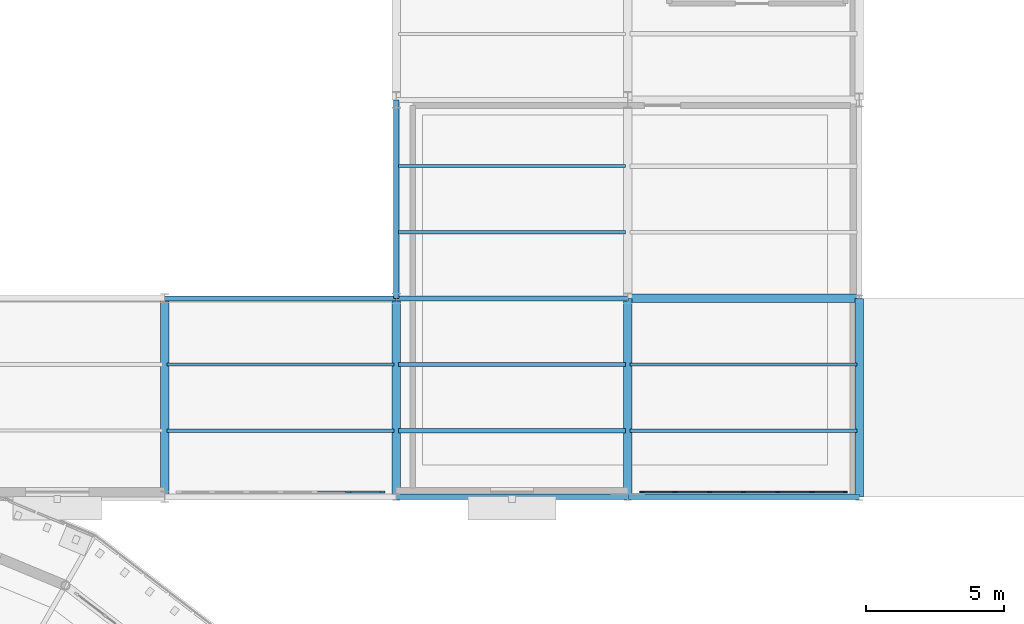
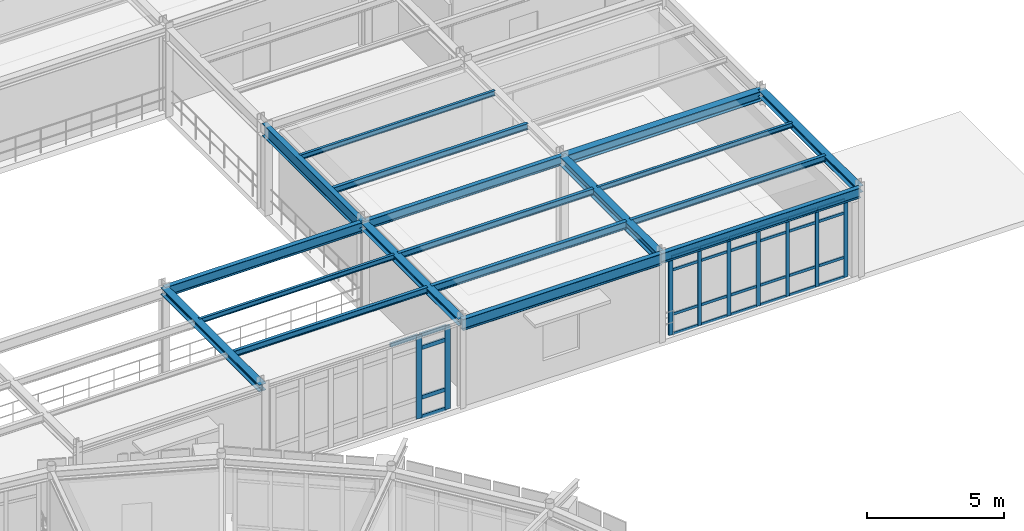
# One storey, part 54 of 90: 38 members, 18 beams, 2 elements without a shape of their own.
"""IFC4 building model written with IfcOpenShell, lengths in metres."""

from ifc_helpers import new_model, si_unit, derived_unit, direction, frame, origin, origin_2d, place, context, subcontext, project, spatial, rectangle, i_section, extrude, material, layer, layer_set, material_profile, profile_set, type_object, element, aggregate, save


model = new_model("IFC4")

# Units and contexts
model_context = context("Model", 3, precision=1e-05, world=origin(), true_north=direction((0.0, 1.0)))
body_context = subcontext(model_context, "Body", "Model", "MODEL_VIEW")
ifc_project = project(units=[si_unit("LENGTHUNIT", "METRE"), si_unit("AREAUNIT", "SQUARE_METRE"), si_unit("VOLUMEUNIT", "CUBIC_METRE"), si_unit("PLANEANGLEUNIT", "RADIAN"), si_unit("MASSUNIT", "GRAM", prefix="KILO"), derived_unit("THERMALTRANSMITTANCEUNIT", [(si_unit("POWERUNIT", "WATT"), 1), (si_unit("AREAUNIT", "SQUARE_METRE"), -1), (si_unit("THERMODYNAMICTEMPERATUREUNIT", "KELVIN"), -1)])], contexts=[model_context])

# Site, building, storey
site_placement = place(None, origin())
site = spatial("IfcSite", under=ifc_project, at=site_placement, CompositionType="ELEMENT")
building_placement = place(site_placement, origin())
building = spatial("IfcBuilding", under=site, at=building_placement, Name="Yasenodar Specialist Clinic", CompositionType="ELEMENT")
storey_placement = place(building_placement, frame((0.0, 0.0, 9.0)))
storey = spatial("IfcBuildingStorey", under=building, at=storey_placement, Name="L02", CompositionType="ELEMENT", Elevation=9.0)

# Beams
ifc_material_1 = material(Name="Steel S355", Category="steel")
ifc_material_profile_1 = material_profile(ifc_material_1, i_section(OverallWidth=0.300048828125, OverallDepth=0.2900390625, WebThickness=0.008544921875, FlangeThickness=0.013916015625, FilletRadius=0.027099609375, at=origin_2d()), Name="HEA 300")
ifc_profile_set_1 = profile_set([ifc_material_profile_1], Name="Steel S355")
beam_type_1 = type_object("IfcBeamType", Name="BM-HEA300", PredefinedType="BEAM", material=ifc_profile_set_1)
for number, where, z_axis, x_axis, name in (
    (1, (105.0, 82.800048828125, 3.804931640625), (0.0, 1.0, 0.0), (-1.0, 0.0, 0.0), "L02 Primary N-S Girder"),
    (2, (121.800048828125, 82.800048828125, 3.804931640625), (0.0, 1.0, 0.0), (-1.0, 0.0, 0.0), "L02 Primary N-S Girder"),
):
    element("IfcBeam", number, at=place(storey_placement, frame(where, z_axis=z_axis, x_axis=x_axis)), inside=storey, type_object=beam_type_1, Name=name, PredefinedType="BEAM", context=body_context, shape_type="SweptSolid", body=[
        extrude(i_section(OverallWidth=0.300048828125, OverallDepth=0.2900390625, WebThickness=0.008544921875, FlangeThickness=0.013916015625, FilletRadius=0.027099609375, at=origin_2d()), origin(), (0.0, 0.0, 1.0), 7.199951171875),
    ])
ifc_material_profile_2 = material_profile(ifc_material_1, i_section(OverallWidth=0.300048828125, OverallDepth=0.43994140625, WebThickness=0.011474609375, FlangeThickness=0.02099609375, FilletRadius=0.027099609375, at=origin_2d()), Name="HEA 450")
ifc_profile_set_2 = profile_set([ifc_material_profile_2], Name="Steel S355")
beam_type_2 = type_object("IfcBeamType", Name="BM-HEA450", PredefinedType="BEAM", material=ifc_profile_set_2)
beam_1_placement = place(storey_placement, frame((113.39990234375, 90.0, 3.72998046875), z_axis=(1.0, 0.0, 0.0), x_axis=(0.0, 1.0, 0.0)))
element("IfcBeam", 3, at=beam_1_placement, inside=storey, type_object=beam_type_2, Name="L02 Primary E-W Girder", PredefinedType="BEAM", context=body_context, shape_type="SweptSolid", body=[
    extrude(i_section(OverallWidth=0.300048828125, OverallDepth=0.43994140625, WebThickness=0.011474609375, FlangeThickness=0.02099609375, FilletRadius=0.027099609375, at=origin_2d()), origin(), (0.0, 0.0, 1.0), 8.400146484375),
])
ifc_material_profile_3 = material_profile(ifc_material_1, i_section(OverallWidth=0.300048828125, OverallDepth=0.300048828125, WebThickness=0.010986328125, FlangeThickness=0.01904296875, FilletRadius=0.027099609375, at=origin_2d()), Name="HEB 300")
ifc_profile_set_3 = profile_set([ifc_material_profile_3], Name="Steel S355")
beam_type_3 = type_object("IfcBeamType", Name="BM-HEB300", PredefinedType="BEAM", material=ifc_profile_set_3)
beam_2_placement = place(storey_placement, frame((96.60009765625, 82.800048828125, 3.800048828125), z_axis=(0.0, 1.0, 0.0), x_axis=(-1.0, 0.0, 0.0)))
element("IfcBeam", 4, at=beam_2_placement, inside=storey, type_object=beam_type_3, Name="L02 Primary N-S Girder", PredefinedType="BEAM", context=body_context, shape_type="SweptSolid", body=[
    extrude(i_section(OverallWidth=0.300048828125, OverallDepth=0.300048828125, WebThickness=0.010986328125, FlangeThickness=0.01904296875, FilletRadius=0.027099609375, at=origin_2d()), origin(), (0.0, 0.0, 1.0), 7.199951171875),
])
ifc_material_profile_4 = material_profile(ifc_material_1, i_section(OverallWidth=0.300048828125, OverallDepth=0.39990234375, WebThickness=0.013427734375, FlangeThickness=0.02392578125, FilletRadius=0.027099609375, at=origin_2d()), Name="HEB 400")
ifc_profile_set_4 = profile_set([ifc_material_profile_4], Name="Steel S355")
beam_type_4 = type_object("IfcBeamType", Name="BM-HEB400", PredefinedType="BEAM", material=ifc_profile_set_4)
beam_3_placement = place(storey_placement, frame((113.39990234375, 82.800048828125, 3.75), z_axis=(0.0, 1.0, 0.0), x_axis=(-1.0, 0.0, 0.0)))
element("IfcBeam", 5, at=beam_3_placement, inside=storey, type_object=beam_type_4, Name="L02 Primary N-S Girder", PredefinedType="BEAM", context=body_context, shape_type="SweptSolid", body=[
    extrude(i_section(OverallWidth=0.300048828125, OverallDepth=0.39990234375, WebThickness=0.013427734375, FlangeThickness=0.02392578125, FilletRadius=0.027099609375, at=origin_2d()), origin(), (0.0, 0.0, 1.0), 7.199951171875),
])
ifc_material_profile_5 = material_profile(ifc_material_1, i_section(OverallWidth=0.179931640625, OverallDepth=0.39990234375, WebThickness=0.008544921875, FlangeThickness=0.013427734375, FilletRadius=0.02099609375, at=origin_2d()), Name="IPE 400")
ifc_profile_set_5 = profile_set([ifc_material_profile_5], Name="Steel S355")
beam_type_5 = type_object("IfcBeamType", Name="BM-IPE400", PredefinedType="BEAM", material=ifc_profile_set_5)
beam_4_placement = place(storey_placement, frame((105.0, 90.0, 3.75), z_axis=(1.0, 0.0, 0.0), x_axis=(0.0, 1.0, 0.0)))
element("IfcBeam", 6, at=beam_4_placement, inside=storey, type_object=beam_type_5, Name="L02 Primary E-W Girder", PredefinedType="BEAM", context=body_context, shape_type="SweptSolid", body=[
    extrude(i_section(OverallWidth=0.179931640625, OverallDepth=0.39990234375, WebThickness=0.008544921875, FlangeThickness=0.013427734375, FilletRadius=0.02099609375, at=origin_2d()), origin(), (0.0, 0.0, 1.0), 8.39990234375),
])
ifc_material_profile_6 = material_profile(ifc_material_1, i_section(OverallWidth=0.18994140625, OverallDepth=0.449951171875, WebThickness=0.009521484375, FlangeThickness=0.0146484375, FilletRadius=0.02099609375, at=origin_2d()), Name="IPE 450")
ifc_profile_set_6 = profile_set([ifc_material_profile_6], Name="Steel S355")
beam_type_6 = type_object("IfcBeamType", Name="BM-IPE450", PredefinedType="BEAM", material=ifc_profile_set_6)
beam_5_placement = place(storey_placement, frame((113.39990234375, 82.800048828125, 3.72509765625), z_axis=(1.0, 0.0, 0.0), x_axis=(0.0, 1.0, 0.0)))
element("IfcBeam", 7, at=beam_5_placement, inside=storey, type_object=beam_type_6, Name="L02 Primary E-W Girder", PredefinedType="BEAM", context=body_context, shape_type="SweptSolid", body=[
    extrude(i_section(OverallWidth=0.18994140625, OverallDepth=0.449951171875, WebThickness=0.009521484375, FlangeThickness=0.0146484375, FilletRadius=0.02099609375, at=origin_2d()), origin(), (0.0, 0.0, 1.0), 8.400146484375),
])
beam_6_placement = place(storey_placement, frame((96.60009765625, 90.0, 3.72509765625), z_axis=(1.0, 0.0, 0.0), x_axis=(0.0, 1.0, 0.0)))
element("IfcBeam", 8, at=beam_6_placement, inside=storey, type_object=beam_type_6, Name="L02 Primary E-W Girder", PredefinedType="BEAM", context=body_context, shape_type="SweptSolid", body=[
    extrude(i_section(OverallWidth=0.18994140625, OverallDepth=0.449951171875, WebThickness=0.009521484375, FlangeThickness=0.0146484375, FilletRadius=0.02099609375, at=origin_2d()), origin(), (0.0, 0.0, 1.0), 8.39990234375),
])
ifc_material_profile_7 = material_profile(ifc_material_1, i_section(OverallWidth=0.199951171875, OverallDepth=0.5, WebThickness=0.01025390625, FlangeThickness=0.01611328125, FilletRadius=0.02099609375, at=origin_2d()), Name="IPE 500")
ifc_profile_set_7 = profile_set([ifc_material_profile_7], Name="Steel S355")
beam_type_7 = type_object("IfcBeamType", Name="BM-IPE500", PredefinedType="BEAM", material=ifc_profile_set_7)
beam_7_placement = place(storey_placement, frame((105.0, 82.800048828125, 3.699951171875), z_axis=(1.0, 0.0, 0.0), x_axis=(0.0, 1.0, 0.0)))
element("IfcBeam", 9, at=beam_7_placement, inside=storey, type_object=beam_type_7, Name="L02 Primary E-W Girder", PredefinedType="BEAM", context=body_context, shape_type="SweptSolid", body=[
    extrude(i_section(OverallWidth=0.199951171875, OverallDepth=0.5, WebThickness=0.01025390625, FlangeThickness=0.01611328125, FilletRadius=0.02099609375, at=origin_2d()), origin(), (0.0, 0.0, 1.0), 8.39990234375),
])
ifc_material_profile_8 = material_profile(ifc_material_1, i_section(OverallWidth=0.2099609375, OverallDepth=0.550048828125, WebThickness=0.010986328125, FlangeThickness=0.01708984375, FilletRadius=0.02392578125, at=origin_2d()), Name="IPE 550")
ifc_profile_set_8 = profile_set([ifc_material_profile_8], Name="Steel S355")
beam_type_8 = type_object("IfcBeamType", Name="BM-IPE550", PredefinedType="BEAM", material=ifc_profile_set_8)
beam_8_placement = place(storey_placement, frame((105.0, 90.0, 3.675048828125), z_axis=(0.0, 1.0, 0.0), x_axis=(-1.0, 0.0, 0.0)))
element("IfcBeam", 10, at=beam_8_placement, inside=storey, type_object=beam_type_8, Name="L02 Primary N-S Girder", PredefinedType="BEAM", context=body_context, shape_type="SweptSolid", body=[
    extrude(i_section(OverallWidth=0.2099609375, OverallDepth=0.550048828125, WebThickness=0.010986328125, FlangeThickness=0.01708984375, FilletRadius=0.02392578125, at=origin_2d()), origin(), (0.0, 0.0, 1.0), 7.199951171875),
])

# Curtain wall, members
ifc_material_2 = material(Name="Bronze Anodized Aluminium and Triple Low-E Glass", Category="aluminium")
ifc_layer = layer(ifc_material_2, 0.215087890625)
ifc_layer_set = layer_set([ifc_layer], Name="Bronze Anodized Aluminium and Triple Low-E Glass")
curtain_wall_type = type_object("IfcCurtainWallType", Name="CW-SYS-05", PredefinedType="USERDEFINED", material=ifc_layer_set)
curtain_wall_1_placement = place(storey_placement, origin())
curtain_wall_1 = element("IfcCurtainWall", 11, at=curtain_wall_1_placement, inside=storey, type_object=curtain_wall_type, Name="L02 Unitised Curtain Wall 154", ObjectType="UNITISED CURTAIN WALL", PredefinedType="USERDEFINED")
ifc_material_3 = material(Name="Bronze Anodized Aluminium", Category="aluminium")
ifc_material_profile_9 = material_profile(ifc_material_3, rectangle(XDim=0.06005859375, YDim=0.159912109375, at=origin_2d()), Name="CW-MULL 60x160")
ifc_profile_set_9 = profile_set([ifc_material_profile_9], Name="Bronze Anodized Aluminium")
member_type_1 = type_object("IfcMemberType", Name="CW-MULL-160", PredefinedType="MULLION", material=ifc_profile_set_9)
member_1_placement = place(storey_placement, frame((121.2900390625, 82.969970703125, 0.0), z_axis=(0.0, 0.0, 1.0), x_axis=(0.0, -1.0, 0.0)))
member_1 = element("IfcMember", 12, at=member_1_placement, type_object=member_type_1, Name="CW-05 mullion 1", PredefinedType="MULLION", context=body_context, shape_type="SweptSolid", body=[
    extrude(rectangle(XDim=0.06005859375, YDim=0.159912109375, at=origin_2d()), origin(), (0.0, 0.0, 1.0), 3.47802734375),
])
member_2_placement = place(storey_placement, frame((120.080078125, 82.969970703125, 0.0), z_axis=(0.0, 0.0, 1.0), x_axis=(0.0, -1.0, 0.0)))
member_2 = element("IfcMember", 13, at=member_2_placement, type_object=member_type_1, Name="CW-05 mullion 2", PredefinedType="MULLION", context=body_context, shape_type="SweptSolid", body=[
    extrude(rectangle(XDim=0.06005859375, YDim=0.159912109375, at=origin_2d()), origin(), (0.0, 0.0, 1.0), 3.47802734375),
])
member_3_placement = place(storey_placement, frame((118.840087890625, 82.969970703125, 0.0), z_axis=(0.0, 0.0, 1.0), x_axis=(0.0, -1.0, 0.0)))
member_3 = element("IfcMember", 14, at=member_3_placement, type_object=member_type_1, Name="CW-05 mullion 3", PredefinedType="MULLION", context=body_context, shape_type="SweptSolid", body=[
    extrude(rectangle(XDim=0.06005859375, YDim=0.159912109375, at=origin_2d()), origin(), (0.0, 0.0, 1.0), 3.47802734375),
])
member_4_placement = place(storey_placement, frame((117.60009765625, 82.969970703125, 0.0), z_axis=(0.0, 0.0, 1.0), x_axis=(0.0, -1.0, 0.0)))
member_4 = element("IfcMember", 15, at=member_4_placement, type_object=member_type_1, Name="CW-05 mullion 4", PredefinedType="MULLION", context=body_context, shape_type="SweptSolid", body=[
    extrude(rectangle(XDim=0.06005859375, YDim=0.159912109375, at=origin_2d()), origin(), (0.0, 0.0, 1.0), 3.47802734375),
])
member_5_placement = place(storey_placement, frame((116.360107421875, 82.969970703125, 0.0), z_axis=(0.0, 0.0, 1.0), x_axis=(0.0, -1.0, 0.0)))
member_5 = element("IfcMember", 16, at=member_5_placement, type_object=member_type_1, Name="CW-05 mullion 5", PredefinedType="MULLION", context=body_context, shape_type="SweptSolid", body=[
    extrude(rectangle(XDim=0.06005859375, YDim=0.159912109375, at=origin_2d()), origin(), (0.0, 0.0, 1.0), 3.47802734375),
])
member_6_placement = place(storey_placement, frame((115.1201171875, 82.969970703125, 0.0), z_axis=(0.0, 0.0, 1.0), x_axis=(0.0, -1.0, 0.0)))
member_6 = element("IfcMember", 17, at=member_6_placement, type_object=member_type_1, Name="CW-05 mullion 6", PredefinedType="MULLION", context=body_context, shape_type="SweptSolid", body=[
    extrude(rectangle(XDim=0.06005859375, YDim=0.159912109375, at=origin_2d()), origin(), (0.0, 0.0, 1.0), 3.47802734375),
])
member_7_placement = place(storey_placement, frame((113.909912109375, 82.969970703125, 0.0), z_axis=(0.0, 0.0, 1.0), x_axis=(0.0, -1.0, 0.0)))
member_7 = element("IfcMember", 18, at=member_7_placement, type_object=member_type_1, Name="CW-05 mullion 7", PredefinedType="MULLION", context=body_context, shape_type="SweptSolid", body=[
    extrude(rectangle(XDim=0.06005859375, YDim=0.159912109375, at=origin_2d()), origin(), (0.0, 0.0, 1.0), 3.47802734375),
])

curtain_wall_2_placement = place(storey_placement, origin())
curtain_wall_2 = element("IfcCurtainWall", 19, at=curtain_wall_2_placement, inside=storey, type_object=curtain_wall_type, Name="L02 Unitised Curtain Wall 155", ObjectType="UNITISED CURTAIN WALL", PredefinedType="USERDEFINED")
ifc_material_profile_10 = material_profile(ifc_material_3, rectangle(XDim=0.074951171875, YDim=0.22509765625, at=origin_2d()), Name="CW-MULL 75x225")
ifc_profile_set_10 = profile_set([ifc_material_profile_10], Name="Bronze Anodized Aluminium")
member_type_2 = type_object("IfcMemberType", Name="CW-MULL-225", PredefinedType="MULLION", material=ifc_profile_set_10)
member_8_placement = place(storey_placement, frame((104.482421875, 82.969970703125, 0.0), z_axis=(0.0, 0.0, 1.0), x_axis=(0.0, -1.0, 0.0)))
member_8 = element("IfcMember", 20, at=member_8_placement, type_object=member_type_2, Name="CW-05 mullion 1", PredefinedType="MULLION", context=body_context, shape_type="SweptSolid", body=[
    extrude(rectangle(XDim=0.074951171875, YDim=0.22509765625, at=origin_2d()), origin(), (0.0, 0.0, 1.0), 3.718017578125),
])
member_9_placement = place(storey_placement, frame((103.280029296875, 82.969970703125, 0.0), z_axis=(0.0, 0.0, 1.0), x_axis=(0.0, -1.0, 0.0)))
member_9 = element("IfcMember", 21, at=member_9_placement, type_object=member_type_2, Name="CW-05 mullion 2", PredefinedType="MULLION", context=body_context, shape_type="SweptSolid", body=[
    extrude(rectangle(XDim=0.074951171875, YDim=0.22509765625, at=origin_2d()), origin(), (0.0, 0.0, 1.0), 3.718017578125),
])

# Member
ifc_material_profile_11 = material_profile(ifc_material_3, rectangle(XDim=0.06005859375, YDim=0.1201171875, at=origin_2d()), Name="CW-TRAN 60x120")
ifc_profile_set_11 = profile_set([ifc_material_profile_11], Name="Bronze Anodized Aluminium")
member_type_3 = type_object("IfcMemberType", Name="CW-TRAN-120", PredefinedType="USERDEFINED", material=ifc_profile_set_11)
member_10_placement = place(storey_placement, frame((121.260009765625, 82.969970703125, 0.030029296875), z_axis=(-1.0, 0.0, 0.0), x_axis=(0.0, -1.0, 0.0)))
member_10 = element("IfcMember", 22, at=member_10_placement, type_object=member_type_3, Name="CW-05 transom 1.1", ObjectType="TRANSOM", PredefinedType="USERDEFINED", context=body_context, shape_type="SweptSolid", body=[
    extrude(rectangle(XDim=0.06005859375, YDim=0.1201171875, at=origin_2d()), origin(), (0.0, 0.0, 1.0), 1.14990234375),
])

member_11_placement = place(storey_placement, frame((121.260009765625, 82.969970703125, 0.89990234375), z_axis=(-1.0, 0.0, 0.0), x_axis=(0.0, -1.0, 0.0)))
member_11 = element("IfcMember", 23, at=member_11_placement, type_object=member_type_3, Name="CW-05 transom 1.2", ObjectType="TRANSOM", PredefinedType="USERDEFINED", context=body_context, shape_type="SweptSolid", body=[
    extrude(rectangle(XDim=0.06005859375, YDim=0.1201171875, at=origin_2d()), origin(), (0.0, 0.0, 1.0), 1.14990234375),
])

member_12_placement = place(storey_placement, frame((121.260009765625, 82.969970703125, 2.8779296875), z_axis=(-1.0, 0.0, 0.0), x_axis=(0.0, -1.0, 0.0)))
member_12 = element("IfcMember", 24, at=member_12_placement, type_object=member_type_3, Name="CW-05 transom 1.3", ObjectType="TRANSOM", PredefinedType="USERDEFINED", context=body_context, shape_type="SweptSolid", body=[
    extrude(rectangle(XDim=0.06005859375, YDim=0.1201171875, at=origin_2d()), origin(), (0.0, 0.0, 1.0), 1.14990234375),
])

member_13_placement = place(storey_placement, frame((121.260009765625, 82.969970703125, 3.447998046875), z_axis=(-1.0, 0.0, 0.0), x_axis=(0.0, -1.0, 0.0)))
member_13 = element("IfcMember", 25, at=member_13_placement, type_object=member_type_3, Name="CW-05 transom 1.4", ObjectType="TRANSOM", PredefinedType="USERDEFINED", context=body_context, shape_type="SweptSolid", body=[
    extrude(rectangle(XDim=0.06005859375, YDim=0.1201171875, at=origin_2d()), origin(), (0.0, 0.0, 1.0), 1.14990234375),
])

member_14_placement = place(storey_placement, frame((120.050048828125, 82.969970703125, 0.030029296875), z_axis=(-1.0, 0.0, 0.0), x_axis=(0.0, -1.0, 0.0)))
member_14 = element("IfcMember", 26, at=member_14_placement, type_object=member_type_3, Name="CW-05 transom 2.1", ObjectType="TRANSOM", PredefinedType="USERDEFINED", context=body_context, shape_type="SweptSolid", body=[
    extrude(rectangle(XDim=0.06005859375, YDim=0.1201171875, at=origin_2d()), origin(), (0.0, 0.0, 1.0), 1.179931640625),
])

member_15_placement = place(storey_placement, frame((120.050048828125, 82.969970703125, 0.89990234375), z_axis=(-1.0, 0.0, 0.0), x_axis=(0.0, -1.0, 0.0)))
member_15 = element("IfcMember", 27, at=member_15_placement, type_object=member_type_3, Name="CW-05 transom 2.2", ObjectType="TRANSOM", PredefinedType="USERDEFINED", context=body_context, shape_type="SweptSolid", body=[
    extrude(rectangle(XDim=0.06005859375, YDim=0.1201171875, at=origin_2d()), origin(), (0.0, 0.0, 1.0), 1.179931640625),
])

member_16_placement = place(storey_placement, frame((120.050048828125, 82.969970703125, 2.8779296875), z_axis=(-1.0, 0.0, 0.0), x_axis=(0.0, -1.0, 0.0)))
member_16 = element("IfcMember", 28, at=member_16_placement, type_object=member_type_3, Name="CW-05 transom 2.3", ObjectType="TRANSOM", PredefinedType="USERDEFINED", context=body_context, shape_type="SweptSolid", body=[
    extrude(rectangle(XDim=0.06005859375, YDim=0.1201171875, at=origin_2d()), origin(), (0.0, 0.0, 1.0), 1.179931640625),
])

member_17_placement = place(storey_placement, frame((120.050048828125, 82.969970703125, 3.447998046875), z_axis=(-1.0, 0.0, 0.0), x_axis=(0.0, -1.0, 0.0)))
member_17 = element("IfcMember", 29, at=member_17_placement, type_object=member_type_3, Name="CW-05 transom 2.4", ObjectType="TRANSOM", PredefinedType="USERDEFINED", context=body_context, shape_type="SweptSolid", body=[
    extrude(rectangle(XDim=0.06005859375, YDim=0.1201171875, at=origin_2d()), origin(), (0.0, 0.0, 1.0), 1.179931640625),
])

member_18_placement = place(storey_placement, frame((118.81005859375, 82.969970703125, 0.030029296875), z_axis=(-1.0, 0.0, 0.0), x_axis=(0.0, -1.0, 0.0)))
member_18 = element("IfcMember", 30, at=member_18_placement, type_object=member_type_3, Name="CW-05 transom 3.1", ObjectType="TRANSOM", PredefinedType="USERDEFINED", context=body_context, shape_type="SweptSolid", body=[
    extrude(rectangle(XDim=0.06005859375, YDim=0.1201171875, at=origin_2d()), origin(), (0.0, 0.0, 1.0), 1.18017578125),
])

member_19_placement = place(storey_placement, frame((118.81005859375, 82.969970703125, 0.89990234375), z_axis=(-1.0, 0.0, 0.0), x_axis=(0.0, -1.0, 0.0)))
member_19 = element("IfcMember", 31, at=member_19_placement, type_object=member_type_3, Name="CW-05 transom 3.2", ObjectType="TRANSOM", PredefinedType="USERDEFINED", context=body_context, shape_type="SweptSolid", body=[
    extrude(rectangle(XDim=0.06005859375, YDim=0.1201171875, at=origin_2d()), origin(), (0.0, 0.0, 1.0), 1.18017578125),
])

member_20_placement = place(storey_placement, frame((118.81005859375, 82.969970703125, 2.8779296875), z_axis=(-1.0, 0.0, 0.0), x_axis=(0.0, -1.0, 0.0)))
member_20 = element("IfcMember", 32, at=member_20_placement, type_object=member_type_3, Name="CW-05 transom 3.3", ObjectType="TRANSOM", PredefinedType="USERDEFINED", context=body_context, shape_type="SweptSolid", body=[
    extrude(rectangle(XDim=0.06005859375, YDim=0.1201171875, at=origin_2d()), origin(), (0.0, 0.0, 1.0), 1.18017578125),
])

member_21_placement = place(storey_placement, frame((118.81005859375, 82.969970703125, 3.447998046875), z_axis=(-1.0, 0.0, 0.0), x_axis=(0.0, -1.0, 0.0)))
member_21 = element("IfcMember", 33, at=member_21_placement, type_object=member_type_3, Name="CW-05 transom 3.4", ObjectType="TRANSOM", PredefinedType="USERDEFINED", context=body_context, shape_type="SweptSolid", body=[
    extrude(rectangle(XDim=0.06005859375, YDim=0.1201171875, at=origin_2d()), origin(), (0.0, 0.0, 1.0), 1.18017578125),
])

member_22_placement = place(storey_placement, frame((117.570068359375, 82.969970703125, 0.030029296875), z_axis=(-1.0, 0.0, 0.0), x_axis=(0.0, -1.0, 0.0)))
member_22 = element("IfcMember", 34, at=member_22_placement, type_object=member_type_3, Name="CW-05 transom 4.1", ObjectType="TRANSOM", PredefinedType="USERDEFINED", context=body_context, shape_type="SweptSolid", body=[
    extrude(rectangle(XDim=0.06005859375, YDim=0.1201171875, at=origin_2d()), origin(), (0.0, 0.0, 1.0), 1.18017578125),
])

member_23_placement = place(storey_placement, frame((117.570068359375, 82.969970703125, 0.89990234375), z_axis=(-1.0, 0.0, 0.0), x_axis=(0.0, -1.0, 0.0)))
member_23 = element("IfcMember", 35, at=member_23_placement, type_object=member_type_3, Name="CW-05 transom 4.2", ObjectType="TRANSOM", PredefinedType="USERDEFINED", context=body_context, shape_type="SweptSolid", body=[
    extrude(rectangle(XDim=0.06005859375, YDim=0.1201171875, at=origin_2d()), origin(), (0.0, 0.0, 1.0), 1.18017578125),
])

member_24_placement = place(storey_placement, frame((117.570068359375, 82.969970703125, 2.8779296875), z_axis=(-1.0, 0.0, 0.0), x_axis=(0.0, -1.0, 0.0)))
member_24 = element("IfcMember", 36, at=member_24_placement, type_object=member_type_3, Name="CW-05 transom 4.3", ObjectType="TRANSOM", PredefinedType="USERDEFINED", context=body_context, shape_type="SweptSolid", body=[
    extrude(rectangle(XDim=0.06005859375, YDim=0.1201171875, at=origin_2d()), origin(), (0.0, 0.0, 1.0), 1.18017578125),
])

member_25_placement = place(storey_placement, frame((117.570068359375, 82.969970703125, 3.447998046875), z_axis=(-1.0, 0.0, 0.0), x_axis=(0.0, -1.0, 0.0)))
member_25 = element("IfcMember", 37, at=member_25_placement, type_object=member_type_3, Name="CW-05 transom 4.4", ObjectType="TRANSOM", PredefinedType="USERDEFINED", context=body_context, shape_type="SweptSolid", body=[
    extrude(rectangle(XDim=0.06005859375, YDim=0.1201171875, at=origin_2d()), origin(), (0.0, 0.0, 1.0), 1.18017578125),
])

member_26_placement = place(storey_placement, frame((116.330078125, 82.969970703125, 0.030029296875), z_axis=(-1.0, 0.0, 0.0), x_axis=(0.0, -1.0, 0.0)))
member_26 = element("IfcMember", 38, at=member_26_placement, type_object=member_type_3, Name="CW-05 transom 5.1", ObjectType="TRANSOM", PredefinedType="USERDEFINED", context=body_context, shape_type="SweptSolid", body=[
    extrude(rectangle(XDim=0.06005859375, YDim=0.1201171875, at=origin_2d()), origin(), (0.0, 0.0, 1.0), 1.18017578125),
])

member_27_placement = place(storey_placement, frame((116.330078125, 82.969970703125, 0.89990234375), z_axis=(-1.0, 0.0, 0.0), x_axis=(0.0, -1.0, 0.0)))
member_27 = element("IfcMember", 39, at=member_27_placement, type_object=member_type_3, Name="CW-05 transom 5.2", ObjectType="TRANSOM", PredefinedType="USERDEFINED", context=body_context, shape_type="SweptSolid", body=[
    extrude(rectangle(XDim=0.06005859375, YDim=0.1201171875, at=origin_2d()), origin(), (0.0, 0.0, 1.0), 1.18017578125),
])

member_28_placement = place(storey_placement, frame((116.330078125, 82.969970703125, 2.8779296875), z_axis=(-1.0, 0.0, 0.0), x_axis=(0.0, -1.0, 0.0)))
member_28 = element("IfcMember", 40, at=member_28_placement, type_object=member_type_3, Name="CW-05 transom 5.3", ObjectType="TRANSOM", PredefinedType="USERDEFINED", context=body_context, shape_type="SweptSolid", body=[
    extrude(rectangle(XDim=0.06005859375, YDim=0.1201171875, at=origin_2d()), origin(), (0.0, 0.0, 1.0), 1.18017578125),
])

member_29_placement = place(storey_placement, frame((116.330078125, 82.969970703125, 3.447998046875), z_axis=(-1.0, 0.0, 0.0), x_axis=(0.0, -1.0, 0.0)))
member_29 = element("IfcMember", 41, at=member_29_placement, type_object=member_type_3, Name="CW-05 transom 5.4", ObjectType="TRANSOM", PredefinedType="USERDEFINED", context=body_context, shape_type="SweptSolid", body=[
    extrude(rectangle(XDim=0.06005859375, YDim=0.1201171875, at=origin_2d()), origin(), (0.0, 0.0, 1.0), 1.18017578125),
])

member_30_placement = place(storey_placement, frame((115.090087890625, 82.969970703125, 0.030029296875), z_axis=(-1.0, 0.0, 0.0), x_axis=(0.0, -1.0, 0.0)))
member_30 = element("IfcMember", 42, at=member_30_placement, type_object=member_type_3, Name="CW-05 transom 6.1", ObjectType="TRANSOM", PredefinedType="USERDEFINED", context=body_context, shape_type="SweptSolid", body=[
    extrude(rectangle(XDim=0.06005859375, YDim=0.1201171875, at=origin_2d()), origin(), (0.0, 0.0, 1.0), 1.150146484375),
])

member_31_placement = place(storey_placement, frame((115.090087890625, 82.969970703125, 0.89990234375), z_axis=(-1.0, 0.0, 0.0), x_axis=(0.0, -1.0, 0.0)))
member_31 = element("IfcMember", 43, at=member_31_placement, type_object=member_type_3, Name="CW-05 transom 6.2", ObjectType="TRANSOM", PredefinedType="USERDEFINED", context=body_context, shape_type="SweptSolid", body=[
    extrude(rectangle(XDim=0.06005859375, YDim=0.1201171875, at=origin_2d()), origin(), (0.0, 0.0, 1.0), 1.150146484375),
])

member_32_placement = place(storey_placement, frame((115.090087890625, 82.969970703125, 2.8779296875), z_axis=(-1.0, 0.0, 0.0), x_axis=(0.0, -1.0, 0.0)))
member_32 = element("IfcMember", 44, at=member_32_placement, type_object=member_type_3, Name="CW-05 transom 6.3", ObjectType="TRANSOM", PredefinedType="USERDEFINED", context=body_context, shape_type="SweptSolid", body=[
    extrude(rectangle(XDim=0.06005859375, YDim=0.1201171875, at=origin_2d()), origin(), (0.0, 0.0, 1.0), 1.150146484375),
])

member_33_placement = place(storey_placement, frame((115.090087890625, 82.969970703125, 3.447998046875), z_axis=(-1.0, 0.0, 0.0), x_axis=(0.0, -1.0, 0.0)))
member_33 = element("IfcMember", 45, at=member_33_placement, type_object=member_type_3, Name="CW-05 transom 6.4", ObjectType="TRANSOM", PredefinedType="USERDEFINED", context=body_context, shape_type="SweptSolid", body=[
    extrude(rectangle(XDim=0.06005859375, YDim=0.1201171875, at=origin_2d()), origin(), (0.0, 0.0, 1.0), 1.150146484375),
])

aggregate(curtain_wall_1, [member_1, member_2, member_3, member_4, member_5, member_6, member_7, member_10, member_11, member_12, member_13, member_14, member_15, member_16, member_17, member_18, member_19, member_20, member_21, member_22, member_23, member_24, member_25, member_26, member_27, member_28, member_29, member_30, member_31, member_32, member_33])

ifc_material_profile_12 = material_profile(ifc_material_3, rectangle(XDim=0.074951171875, YDim=0.175048828125, at=origin_2d()), Name="CW-TRAN 75x175")
ifc_profile_set_12 = profile_set([ifc_material_profile_12], Name="Bronze Anodized Aluminium")
member_type_4 = type_object("IfcMemberType", Name="CW-TRAN-175", PredefinedType="USERDEFINED", material=ifc_profile_set_12)
member_34_placement = place(storey_placement, frame((104.445068359375, 82.969970703125, 0.03759765625), z_axis=(-1.0, 0.0, 0.0), x_axis=(0.0, -1.0, 0.0)))
member_34 = element("IfcMember", 46, at=member_34_placement, type_object=member_type_4, Name="CW-05 transom 1.1", ObjectType="TRANSOM", PredefinedType="USERDEFINED", context=body_context, shape_type="SweptSolid", body=[
    extrude(rectangle(XDim=0.074951171875, YDim=0.175048828125, at=origin_2d()), origin(), (0.0, 0.0, 1.0), 1.127685546875),
])

member_35_placement = place(storey_placement, frame((104.445068359375, 82.969970703125, 0.89990234375), z_axis=(-1.0, 0.0, 0.0), x_axis=(0.0, -1.0, 0.0)))
member_35 = element("IfcMember", 47, at=member_35_placement, type_object=member_type_4, Name="CW-05 transom 1.2", ObjectType="TRANSOM", PredefinedType="USERDEFINED", context=body_context, shape_type="SweptSolid", body=[
    extrude(rectangle(XDim=0.074951171875, YDim=0.175048828125, at=origin_2d()), origin(), (0.0, 0.0, 1.0), 1.127685546875),
])

member_36_placement = place(storey_placement, frame((104.445068359375, 82.969970703125, 3.117919921875), z_axis=(-1.0, 0.0, 0.0), x_axis=(0.0, -1.0, 0.0)))
member_36 = element("IfcMember", 48, at=member_36_placement, type_object=member_type_4, Name="CW-05 transom 1.3", ObjectType="TRANSOM", PredefinedType="USERDEFINED", context=body_context, shape_type="SweptSolid", body=[
    extrude(rectangle(XDim=0.074951171875, YDim=0.175048828125, at=origin_2d()), origin(), (0.0, 0.0, 1.0), 1.127685546875),
])

member_37_placement = place(storey_placement, frame((104.445068359375, 82.969970703125, 3.680419921875), z_axis=(-1.0, 0.0, 0.0), x_axis=(0.0, -1.0, 0.0)))
member_37 = element("IfcMember", 49, at=member_37_placement, type_object=member_type_4, Name="CW-05 transom 1.4", ObjectType="TRANSOM", PredefinedType="USERDEFINED", context=body_context, shape_type="SweptSolid", body=[
    extrude(rectangle(XDim=0.074951171875, YDim=0.175048828125, at=origin_2d()), origin(), (0.0, 0.0, 1.0), 1.127685546875),
])

member_38_placement = place(storey_placement, frame((103.242431640625, 82.969970703125, 3.680419921875), z_axis=(-1.0, 0.0, 0.0), x_axis=(0.0, -1.0, 0.0)))
member_38 = element("IfcMember", 50, at=member_38_placement, type_object=member_type_4, Name="CW-05 transom 2.4", ObjectType="TRANSOM", PredefinedType="USERDEFINED", context=body_context, shape_type="SweptSolid", body=[
    extrude(rectangle(XDim=0.074951171875, YDim=0.175048828125, at=origin_2d()), origin(), (0.0, 0.0, 1.0), 1.1650390625),
])

aggregate(curtain_wall_2, [member_8, member_9, member_34, member_35, member_36, member_37, member_38])

# Beams
ifc_material_profile_13 = material_profile(ifc_material_1, i_section(OverallWidth=0.110107421875, OverallDepth=0.219970703125, WebThickness=0.005859375, FlangeThickness=0.00927734375, FilletRadius=0.011962890625, at=origin_2d()), Name="IPE 220")
ifc_profile_set_13 = profile_set([ifc_material_profile_13], Name="Steel S355")
beam_type_9 = type_object("IfcBeamType", Name="JS-IPE220", PredefinedType="JOIST", material=ifc_profile_set_13)
for number, where, z_axis, x_axis, name in (
    (51, (96.679931640625, 87.60009765625, 3.840087890625), (1.0, 0.0, 0.0), (0.0, 1.0, 0.0), "L02 Composite Floor Joist"),
    (52, (105.080078125, 94.800048828125, 3.840087890625), (1.0, 0.0, 0.0), (0.0, 1.0, 0.0), "L02 Composite Floor Joist"),
    (53, (113.47998046875, 87.60009765625, 3.840087890625), (1.0, 0.0, 0.0), (0.0, 1.0, 0.0), "L02 Composite Floor Joist"),
):
    element("IfcBeam", number, at=place(storey_placement, frame(where, z_axis=z_axis, x_axis=x_axis)), inside=storey, type_object=beam_type_9, Name=name, PredefinedType="JOIST", context=body_context, shape_type="SweptSolid", body=[
        extrude(i_section(OverallWidth=0.110107421875, OverallDepth=0.219970703125, WebThickness=0.005859375, FlangeThickness=0.00927734375, FilletRadius=0.011962890625, at=origin_2d()), origin(), (0.0, 0.0, 1.0), 8.239990234375),
    ])
ifc_material_profile_14 = material_profile(ifc_material_1, i_section(OverallWidth=0.135009765625, OverallDepth=0.27001953125, WebThickness=0.006591796875, FlangeThickness=0.01025390625, FilletRadius=0.014892578125, at=origin_2d()), Name="IPE 270")
ifc_profile_set_14 = profile_set([ifc_material_profile_14], Name="Steel S355")
beam_type_10 = type_object("IfcBeamType", Name="JS-IPE270", PredefinedType="JOIST", material=ifc_profile_set_14)
for number, where, z_axis, x_axis, name in (
    (54, (96.679931640625, 85.199951171875, 3.81494140625), (1.0, 0.0, 0.0), (0.0, 1.0, 0.0), "L02 Composite Floor Joist"),
    (55, (105.080078125, 87.60009765625, 3.81494140625), (1.0, 0.0, 0.0), (0.0, 1.0, 0.0), "L02 Composite Floor Joist"),
    (56, (105.080078125, 92.39990234375, 3.81494140625), (1.0, 0.0, 0.0), (0.0, 1.0, 0.0), "L02 Composite Floor Joist"),
    (57, (113.47998046875, 85.199951171875, 3.81494140625), (1.0, 0.0, 0.0), (0.0, 1.0, 0.0), "L02 Composite Floor Joist"),
):
    element("IfcBeam", number, at=place(storey_placement, frame(where, z_axis=z_axis, x_axis=x_axis)), inside=storey, type_object=beam_type_10, Name=name, PredefinedType="JOIST", context=body_context, shape_type="SweptSolid", body=[
        extrude(i_section(OverallWidth=0.135009765625, OverallDepth=0.27001953125, WebThickness=0.006591796875, FlangeThickness=0.01025390625, FilletRadius=0.014892578125, at=origin_2d()), origin(), (0.0, 0.0, 1.0), 8.239990234375),
    ])
ifc_material_profile_15 = material_profile(ifc_material_1, i_section(OverallWidth=0.159912109375, OverallDepth=0.330078125, WebThickness=0.007568359375, FlangeThickness=0.011474609375, FilletRadius=0.01806640625, at=origin_2d()), Name="IPE 330")
ifc_profile_set_15 = profile_set([ifc_material_profile_15], Name="Steel S355")
beam_type_11 = type_object("IfcBeamType", Name="JS-IPE330", PredefinedType="JOIST", material=ifc_profile_set_15)
beam_9_placement = place(storey_placement, frame((105.080078125, 85.199951171875, 3.784912109375), z_axis=(1.0, 0.0, 0.0), x_axis=(0.0, 1.0, 0.0)))
element("IfcBeam", 58, at=beam_9_placement, inside=storey, type_object=beam_type_11, Name="L02 Composite Floor Joist", PredefinedType="JOIST", context=body_context, shape_type="SweptSolid", body=[
    extrude(i_section(OverallWidth=0.159912109375, OverallDepth=0.330078125, WebThickness=0.007568359375, FlangeThickness=0.011474609375, FilletRadius=0.01806640625, at=origin_2d()), origin(), (0.0, 0.0, 1.0), 8.239990234375),
])

save(model, "model.ifc")
